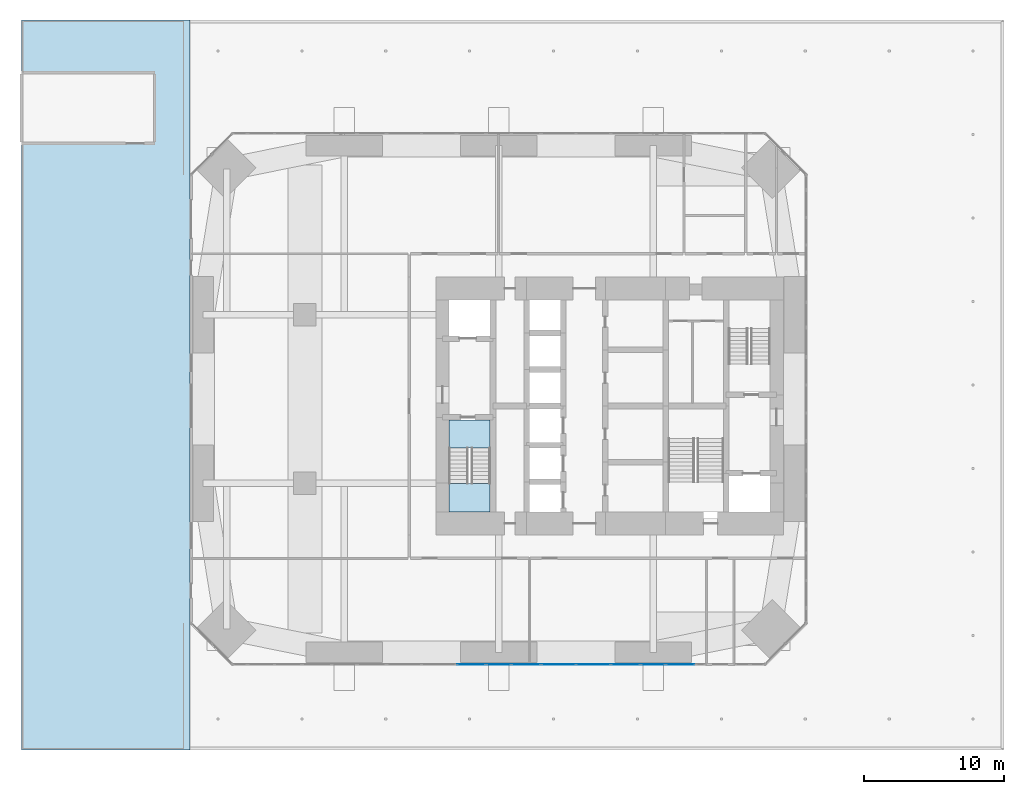
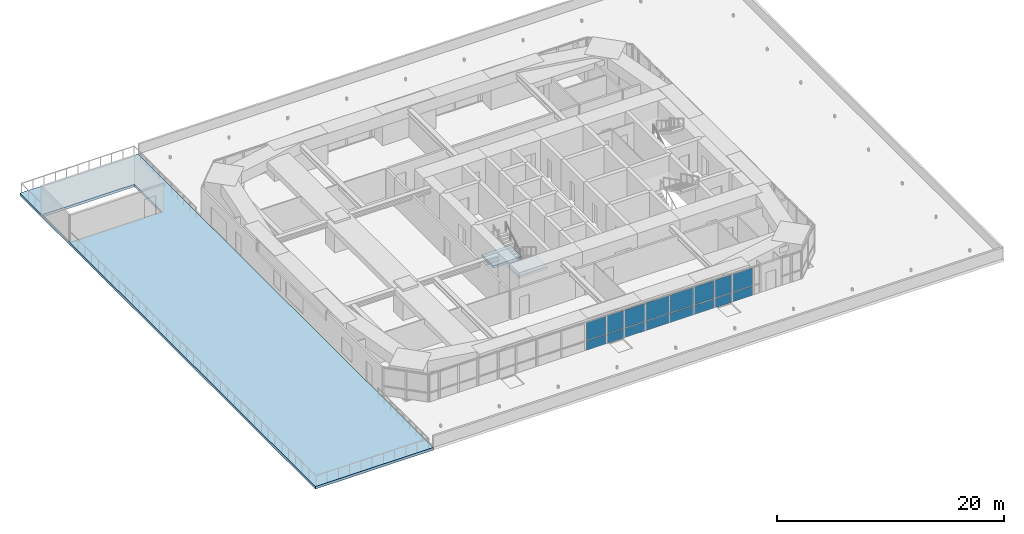
# One storey, part 9 of 20: 16 plates, 3 slabs, 8 elements without a shape of their own.
"""IFC4 building model written with IfcOpenShell, lengths in metres."""

from ifc_helpers import new_model, si_unit, direction, frame, origin, origin_2d, place, context, subcontext, project, spatial, polyline, rectangle, outline, extrude, material, layer, layer_set, type_object, element, aggregate, save


model = new_model("IFC4")

# Units and contexts
model_context = context("Model", 3, precision=1e-05, world=origin(), true_north=direction((0.0, 1.0)))
body_context = subcontext(model_context, "Body", "Model", "MODEL_VIEW")
ifc_project = project(units=[si_unit("LENGTHUNIT", "METRE"), si_unit("AREAUNIT", "SQUARE_METRE"), si_unit("VOLUMEUNIT", "CUBIC_METRE"), si_unit("PLANEANGLEUNIT", "RADIAN"), si_unit("MASSUNIT", "GRAM", prefix="KILO")], contexts=[model_context])

# Site, building, storey
site_placement = place(None, origin())
site = spatial("IfcSite", under=ifc_project, at=site_placement, CompositionType="ELEMENT")
building_placement = place(site_placement, origin())
building = spatial("IfcBuilding", under=site, at=building_placement, Name="Jalousie Tower", CompositionType="ELEMENT")
storey_placement = place(building_placement, frame((0.0, 0.0, 21.0)))
storey = spatial("IfcBuildingStorey", under=building, at=storey_placement, Name="L04", CompositionType="ELEMENT", Elevation=21.0)

# Curtain wall, plates
ifc_material_1 = material(Name="Aluminium curtain wall", Category="aluminium")
curtain_wall_type_1 = type_object("IfcCurtainWallType", Name="AMENITY SPANDREL WALL", PredefinedType="USERDEFINED", material=ifc_material_1)
curtain_wall_1_placement = place(storey_placement, origin())
curtain_wall_1 = element("IfcCurtainWall", 1, at=curtain_wall_1_placement, inside=storey, type_object=curtain_wall_type_1, Name="Amenity Spandrel Wall L04 7", ObjectType="AMENITY SPANDREL WALL", PredefinedType="USERDEFINED")
ifc_material_2 = material(Name="Laminated impact-rated spandrel glass", Category="glass")
ifc_layer_1 = layer(ifc_material_2, 0.031982421875)
ifc_layer_set_1 = layer_set([ifc_layer_1], Name="Laminated impact-rated spandrel glass")
plate_type_1 = type_object("IfcPlateType", Name="AMENITY SPANDREL WALL PANEL", PredefinedType="CURTAIN_PANEL", material=ifc_layer_set_1)
plate_1_placement = place(storey_placement, frame((22.045166015625, 0.08740234375, 0.06494140625), z_axis=(0.0, 0.0, 1.0), x_axis=(1.0, 0.0, 0.0)))
plate_1 = element("IfcPlate", 2, at=plate_1_placement, type_object=plate_type_1, Name="CW-AS panel 1.1", PredefinedType="CURTAIN_PANEL", context=body_context, shape_type="SweptSolid", body=[
    extrude(rectangle(XDim=1.989501953125, YDim=0.031982421875, at=origin_2d()), origin(), (0.0, 0.0, 1.0), 1.00244140625),
])
plate_2_placement = place(storey_placement, frame((22.045166015625, 0.08740234375, 1.132568359375), z_axis=(0.0, 0.0, 1.0), x_axis=(1.0, 0.0, 0.0)))
plate_2 = element("IfcPlate", 3, at=plate_2_placement, type_object=plate_type_1, Name="CW-AS panel 1.2", PredefinedType="CURTAIN_PANEL", context=body_context, shape_type="SweptSolid", body=[
    extrude(rectangle(XDim=1.989501953125, YDim=0.031982421875, at=origin_2d()), origin(), (0.0, 0.0, 1.0), 1.91259765625),
])
aggregate(curtain_wall_1, [plate_1, plate_2])

curtain_wall_2_placement = place(storey_placement, origin())
curtain_wall_2 = element("IfcCurtainWall", 4, at=curtain_wall_2_placement, inside=storey, type_object=curtain_wall_type_1, Name="Amenity Spandrel Wall L04 9", ObjectType="AMENITY SPANDREL WALL", PredefinedType="USERDEFINED")
plate_3_placement = place(storey_placement, frame((25.954833984375, 0.08740234375, 0.06494140625), z_axis=(0.0, 0.0, 1.0), x_axis=(1.0, 0.0, 0.0)))
plate_3 = element("IfcPlate", 5, at=plate_3_placement, type_object=plate_type_1, Name="CW-AS panel 1.1", PredefinedType="CURTAIN_PANEL", context=body_context, shape_type="SweptSolid", body=[
    extrude(rectangle(XDim=1.989501953125, YDim=0.031982421875, at=origin_2d()), origin(), (0.0, 0.0, 1.0), 1.00244140625),
])
plate_4_placement = place(storey_placement, frame((25.954833984375, 0.08740234375, 1.132568359375), z_axis=(0.0, 0.0, 1.0), x_axis=(1.0, 0.0, 0.0)))
plate_4 = element("IfcPlate", 6, at=plate_4_placement, type_object=plate_type_1, Name="CW-AS panel 1.2", PredefinedType="CURTAIN_PANEL", context=body_context, shape_type="SweptSolid", body=[
    extrude(rectangle(XDim=1.989501953125, YDim=0.031982421875, at=origin_2d()), origin(), (0.0, 0.0, 1.0), 1.91259765625),
])
aggregate(curtain_wall_2, [plate_3, plate_4])

curtain_wall_3_placement = place(storey_placement, origin())
curtain_wall_3 = element("IfcCurtainWall", 7, at=curtain_wall_3_placement, inside=storey, type_object=curtain_wall_type_1, Name="Amenity Spandrel Wall L04 11", ObjectType="AMENITY SPANDREL WALL", PredefinedType="USERDEFINED")
plate_5_placement = place(storey_placement, frame((33.045166015625, 0.08740234375, 0.06494140625), z_axis=(0.0, 0.0, 1.0), x_axis=(1.0, 0.0, 0.0)))
plate_5 = element("IfcPlate", 8, at=plate_5_placement, type_object=plate_type_1, Name="CW-AS panel 1.1", PredefinedType="CURTAIN_PANEL", context=body_context, shape_type="SweptSolid", body=[
    extrude(rectangle(XDim=1.989501953125, YDim=0.031982421875, at=origin_2d()), origin(), (0.0, 0.0, 1.0), 1.00244140625),
])
plate_6_placement = place(storey_placement, frame((33.045166015625, 0.08740234375, 1.132568359375), z_axis=(0.0, 0.0, 1.0), x_axis=(1.0, 0.0, 0.0)))
plate_6 = element("IfcPlate", 9, at=plate_6_placement, type_object=plate_type_1, Name="CW-AS panel 1.2", PredefinedType="CURTAIN_PANEL", context=body_context, shape_type="SweptSolid", body=[
    extrude(rectangle(XDim=1.989501953125, YDim=0.031982421875, at=origin_2d()), origin(), (0.0, 0.0, 1.0), 1.91259765625),
])
aggregate(curtain_wall_3, [plate_5, plate_6])

curtain_wall_4_placement = place(storey_placement, origin())
curtain_wall_4 = element("IfcCurtainWall", 10, at=curtain_wall_4_placement, inside=storey, type_object=curtain_wall_type_1, Name="Amenity Spandrel Wall L04 13", ObjectType="AMENITY SPANDREL WALL", PredefinedType="USERDEFINED")
plate_7_placement = place(storey_placement, frame((36.954833984375, 0.08740234375, 0.06494140625), z_axis=(0.0, 0.0, 1.0), x_axis=(1.0, 0.0, 0.0)))
plate_7 = element("IfcPlate", 11, at=plate_7_placement, type_object=plate_type_1, Name="CW-AS panel 1.1", PredefinedType="CURTAIN_PANEL", context=body_context, shape_type="SweptSolid", body=[
    extrude(rectangle(XDim=1.989501953125, YDim=0.031982421875, at=origin_2d()), origin(), (0.0, 0.0, 1.0), 1.00244140625),
])
plate_8_placement = place(storey_placement, frame((36.954833984375, 0.08740234375, 1.132568359375), z_axis=(0.0, 0.0, 1.0), x_axis=(1.0, 0.0, 0.0)))
plate_8 = element("IfcPlate", 12, at=plate_8_placement, type_object=plate_type_1, Name="CW-AS panel 1.2", PredefinedType="CURTAIN_PANEL", context=body_context, shape_type="SweptSolid", body=[
    extrude(rectangle(XDim=1.989501953125, YDim=0.031982421875, at=origin_2d()), origin(), (0.0, 0.0, 1.0), 1.91259765625),
])
aggregate(curtain_wall_4, [plate_7, plate_8])

ifc_material_3 = material(Name="Aluminium curtain wall", Category="aluminium")
curtain_wall_type_2 = type_object("IfcCurtainWallType", Name="AMENITY WINDOW WALL", PredefinedType="USERDEFINED", material=ifc_material_3)
curtain_wall_5_placement = place(storey_placement, origin())
curtain_wall_5 = element("IfcCurtainWall", 13, at=curtain_wall_5_placement, inside=storey, type_object=curtain_wall_type_2, Name="Amenity Window Wall L04 8", ObjectType="AMENITY WINDOW WALL", PredefinedType="USERDEFINED")
ifc_material_4 = material(Name="Laminated impact-rated glass", Category="glass")
ifc_layer_2 = layer(ifc_material_4, 0.031982421875)
ifc_layer_set_2 = layer_set([ifc_layer_2], Name="Laminated impact-rated glass")
plate_type_2 = type_object("IfcPlateType", Name="AMENITY WINDOW WALL PANEL", PredefinedType="CURTAIN_PANEL", material=ifc_layer_set_2)
plate_9_placement = place(storey_placement, frame((24.0, 0.08740234375, 0.06494140625), z_axis=(0.0, 0.0, 1.0), x_axis=(1.0, 0.0, 0.0)))
plate_9 = element("IfcPlate", 14, at=plate_9_placement, type_object=plate_type_2, Name="CW-A panel 1.1", PredefinedType="CURTAIN_PANEL", context=body_context, shape_type="SweptSolid", body=[
    extrude(rectangle(XDim=1.66015625, YDim=0.031982421875, at=origin_2d()), origin(), (0.0, 0.0, 1.0), 1.00244140625),
])
plate_10_placement = place(storey_placement, frame((24.0, 0.08740234375, 1.132568359375), z_axis=(0.0, 0.0, 1.0), x_axis=(1.0, 0.0, 0.0)))
plate_10 = element("IfcPlate", 15, at=plate_10_placement, type_object=plate_type_2, Name="CW-A panel 1.2", PredefinedType="CURTAIN_PANEL", context=body_context, shape_type="SweptSolid", body=[
    extrude(rectangle(XDim=1.66015625, YDim=0.031982421875, at=origin_2d()), origin(), (0.0, 0.0, 1.0), 1.91259765625),
])
aggregate(curtain_wall_5, [plate_9, plate_10])

curtain_wall_6_placement = place(storey_placement, origin())
curtain_wall_6 = element("IfcCurtainWall", 16, at=curtain_wall_6_placement, inside=storey, type_object=curtain_wall_type_2, Name="Amenity Window Wall L04 10", ObjectType="AMENITY WINDOW WALL", PredefinedType="USERDEFINED")
plate_11_placement = place(storey_placement, frame((28.2734375, 0.08740234375, 0.06494140625), z_axis=(0.0, 0.0, 1.0), x_axis=(1.0, 0.0, 0.0)))
plate_11 = element("IfcPlate", 17, at=plate_11_placement, type_object=plate_type_2, Name="CW-A panel 1.1", PredefinedType="CURTAIN_PANEL", context=body_context, shape_type="SweptSolid", body=[
    extrude(rectangle(XDim=2.387939453125, YDim=0.031982421875, at=origin_2d()), origin(), (0.0, 0.0, 1.0), 1.00244140625),
])
plate_12_placement = place(storey_placement, frame((28.2734375, 0.08740234375, 1.132568359375), z_axis=(0.0, 0.0, 1.0), x_axis=(1.0, 0.0, 0.0)))
plate_12 = element("IfcPlate", 18, at=plate_12_placement, type_object=plate_type_2, Name="CW-A panel 1.2", PredefinedType="CURTAIN_PANEL", context=body_context, shape_type="SweptSolid", body=[
    extrude(rectangle(XDim=2.387939453125, YDim=0.031982421875, at=origin_2d()), origin(), (0.0, 0.0, 1.0), 1.91259765625),
])
plate_13_placement = place(storey_placement, frame((30.7265625, 0.08740234375, 0.06494140625), z_axis=(0.0, 0.0, 1.0), x_axis=(1.0, 0.0, 0.0)))
plate_13 = element("IfcPlate", 19, at=plate_13_placement, type_object=plate_type_2, Name="CW-A panel 2.1", PredefinedType="CURTAIN_PANEL", context=body_context, shape_type="SweptSolid", body=[
    extrude(rectangle(XDim=2.387939453125, YDim=0.031982421875, at=origin_2d()), origin(), (0.0, 0.0, 1.0), 1.00244140625),
])
plate_14_placement = place(storey_placement, frame((30.7265625, 0.08740234375, 1.132568359375), z_axis=(0.0, 0.0, 1.0), x_axis=(1.0, 0.0, 0.0)))
plate_14 = element("IfcPlate", 20, at=plate_14_placement, type_object=plate_type_2, Name="CW-A panel 2.2", PredefinedType="CURTAIN_PANEL", context=body_context, shape_type="SweptSolid", body=[
    extrude(rectangle(XDim=2.387939453125, YDim=0.031982421875, at=origin_2d()), origin(), (0.0, 0.0, 1.0), 1.91259765625),
])
aggregate(curtain_wall_6, [plate_11, plate_12, plate_13, plate_14])

curtain_wall_7_placement = place(storey_placement, origin())
curtain_wall_7 = element("IfcCurtainWall", 21, at=curtain_wall_7_placement, inside=storey, type_object=curtain_wall_type_2, Name="Amenity Window Wall L04 12", ObjectType="AMENITY WINDOW WALL", PredefinedType="USERDEFINED")
plate_15_placement = place(storey_placement, frame((35.0, 0.08740234375, 0.06494140625), z_axis=(0.0, 0.0, 1.0), x_axis=(1.0, 0.0, 0.0)))
plate_15 = element("IfcPlate", 22, at=plate_15_placement, type_object=plate_type_2, Name="CW-A panel 1.1", PredefinedType="CURTAIN_PANEL", context=body_context, shape_type="SweptSolid", body=[
    extrude(rectangle(XDim=1.66015625, YDim=0.031982421875, at=origin_2d()), origin(), (0.0, 0.0, 1.0), 1.00244140625),
])
plate_16_placement = place(storey_placement, frame((35.0, 0.08740234375, 1.132568359375), z_axis=(0.0, 0.0, 1.0), x_axis=(1.0, 0.0, 0.0)))
plate_16 = element("IfcPlate", 23, at=plate_16_placement, type_object=plate_type_2, Name="CW-A panel 1.2", PredefinedType="CURTAIN_PANEL", context=body_context, shape_type="SweptSolid", body=[
    extrude(rectangle(XDim=1.66015625, YDim=0.031982421875, at=origin_2d()), origin(), (0.0, 0.0, 1.0), 1.91259765625),
])
aggregate(curtain_wall_7, [plate_15, plate_16])

# Slab
ifc_material_5 = material(Name="Concrete f'c 40 MPa", Category="concrete")
ifc_layer_3 = layer(ifc_material_5, 0.280029296875)
ifc_layer_set_3 = layer_set([ifc_layer_3], Name="Concrete f'c 40 MPa")
slab_type_1 = type_object("IfcSlabType", Name="PODIUM ROOF SLAB 280", PredefinedType="ROOF", material=ifc_layer_set_3)
slab_1_placement = place(storey_placement, frame((0.0, 0.0, -0.280029296875)))
element("IfcSlab", 24, at=slab_1_placement, inside=storey, type_object=slab_type_1, Name="Podium roof terrace", PredefinedType="ROOF", context=body_context, shape_type="SweptSolid", body=[
    extrude(outline(polyline([(-10.0, -6.0), (2.0, -6.0), (2.0, 46.0), (-10.0, 46.0), (-10.0, -6.0)]), holes=[polyline([(-9.89990234375, 37.300048828125), (-0.60009765625, 37.300048828125), (-0.60009765625, 42.14990234375), (-9.89990234375, 42.14990234375), (-9.89990234375, 37.300048828125)])]), origin(), (0.0, 0.0, 1.0), 0.280029296875),
])

# Stair, slabs
ifc_material_6 = material(Name="Concrete f'c 40 MPa", Category="concrete")
stair_type = type_object("IfcStairType", Name="EXIT STAIR", PredefinedType="HALF_TURN_STAIR", material=ifc_material_6)
stair_placement = place(storey_placement, origin())
stair = element("IfcStair", 25, at=stair_placement, inside=storey, type_object=stair_type, Name="Exit stair A L04", PredefinedType="HALF_TURN_STAIR")
ifc_material_7 = material(Name="Concrete f'c 40 MPa", Category="concrete")
ifc_layer_4 = layer(ifc_material_7, 0.25)
ifc_layer_set_4 = layer_set([ifc_layer_4], Name="Concrete f'c 40 MPa")
slab_type_2 = type_object("IfcSlabType", Name="STAIR LANDING 250", PredefinedType="LANDING", material=ifc_layer_set_4)
slab_2_placement = place(storey_placement, frame((0.0, 0.0, -0.25)))
slab_2 = element("IfcSlab", 26, at=slab_2_placement, type_object=slab_type_2, Name="ST-A landing 1", PredefinedType="LANDING", context=body_context, shape_type="SweptSolid", body=[
    extrude(outline(polyline([(20.47509765625, 15.49755859375), (23.39990234375, 15.49755859375), (23.39990234375, 17.5), (20.47509765625, 17.5), (20.47509765625, 15.49755859375)])), origin(), (0.0, 0.0, 1.0), 0.25),
])
slab_3_placement = place(storey_placement, frame((0.0, 0.0, 1.425048828125)))
slab_3 = element("IfcSlab", 27, at=slab_3_placement, type_object=slab_type_2, Name="ST-A landing 2", PredefinedType="LANDING", context=body_context, shape_type="SweptSolid", body=[
    extrude(outline(polyline([(20.47509765625, 10.949951171875), (23.39990234375, 10.949951171875), (23.39990234375, 12.9775390625), (20.47509765625, 12.9775390625), (20.47509765625, 10.949951171875)])), origin(), (0.0, 0.0, 1.0), 0.25),
])
aggregate(stair, [slab_2, slab_3])

save(model, "model.ifc")
